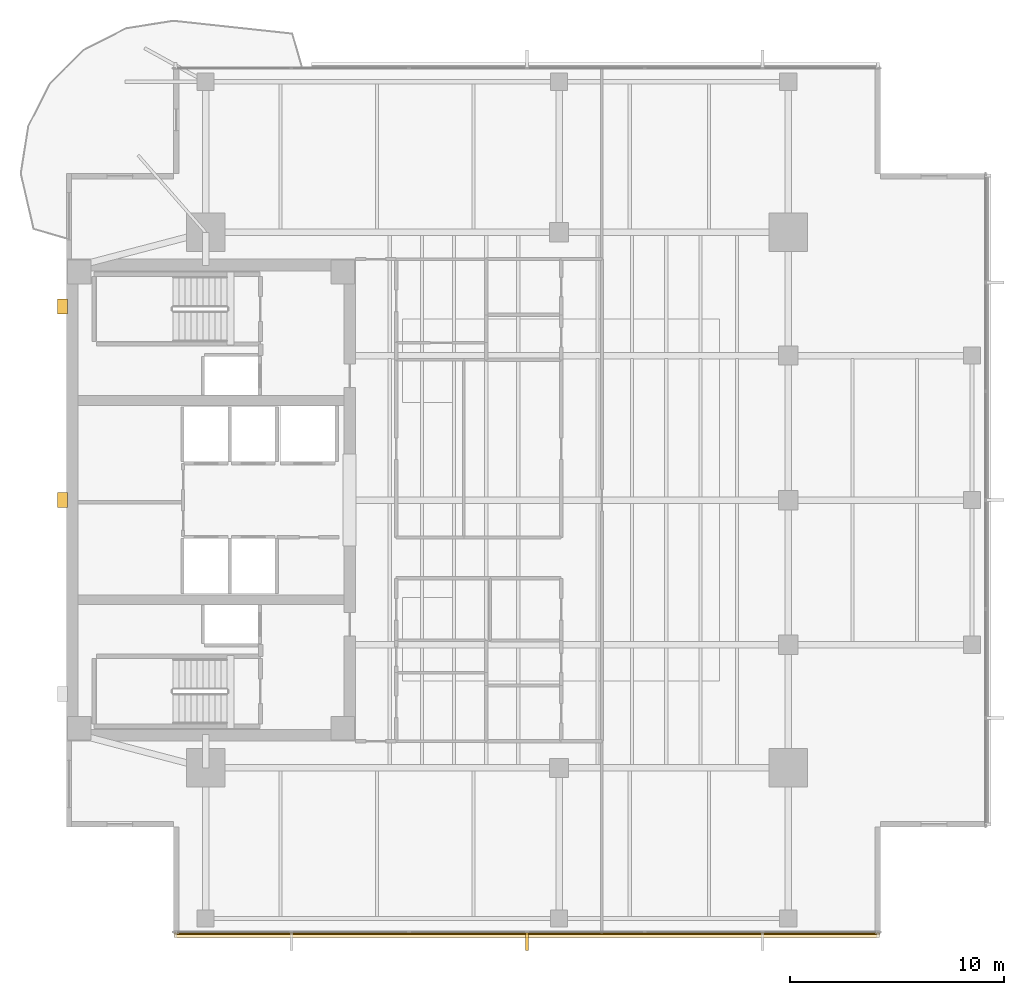
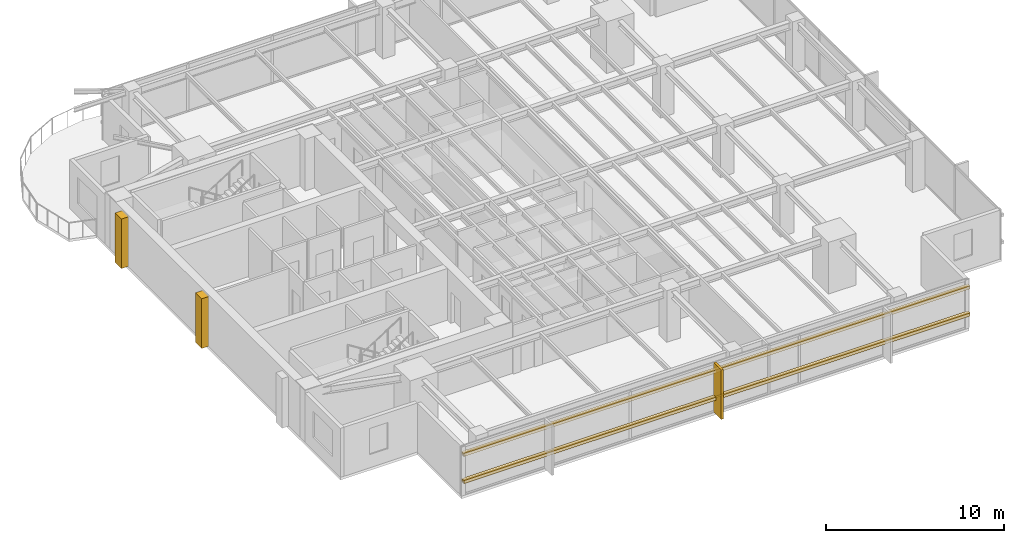
# One storey, part 12 of 14: 5 coverings, 2 shading devices.
"""IFC4 building model written with IfcOpenShell, lengths in metres."""

from ifc_helpers import new_model, si_unit, direction, frame, origin, origin_2d, place, context, subcontext, project, spatial, polyline, rectangle, outline, extrude, material, layer, layer_set, material_profile, profile_set, type_object, element, save


model = new_model("IFC4")

# Units and contexts
model_context = context("Model", 3, precision=1e-05, world=origin(), true_north=direction((0.0, 1.0)))
body_context = subcontext(model_context, "Body", "Model", "MODEL_VIEW")
ifc_project = project(units=[si_unit("LENGTHUNIT", "METRE"), si_unit("AREAUNIT", "SQUARE_METRE"), si_unit("VOLUMEUNIT", "CUBIC_METRE"), si_unit("PLANEANGLEUNIT", "RADIAN"), si_unit("MASSUNIT", "GRAM", prefix="KILO")], contexts=[model_context])

# Site, building, storey
site_placement = place(None, origin())
site = spatial("IfcSite", under=ifc_project, at=site_placement, CompositionType="ELEMENT")
building_placement = place(site_placement, origin())
building = spatial("IfcBuilding", under=site, at=building_placement, Name="Kinhvarn Gate Tower", CompositionType="ELEMENT")
storey_placement = place(building_placement, frame((0.0, 0.0, 195.14990234375)))
storey = spatial("IfcBuildingStorey", under=building, at=storey_placement, Name="L51", CompositionType="ELEMENT", Elevation=195.14990234375)

# Coverings
ifc_material_1 = material(Name="Fired architectural terracotta", Category="masonry")
ifc_layer_1 = layer(ifc_material_1, 0.239990234375)
ifc_layer_set_1 = layer_set([ifc_layer_1], Name="Fired architectural terracotta")
covering_type_1 = type_object("IfcCoveringType", Name="COV-BAG-220", PredefinedType="CLADDING", material=ifc_layer_set_1)
for number, where, name in (
    (1, (0.0, 0.0, 0.940185546875), "Terracotta Horizontal Sunscreen Band TBG-220 (L51)"),
    (2, (0.0, 0.0, 2.81005859375), "Terracotta Horizontal Sunscreen Band TBG-220 (L51)"),
):
    element("IfcCovering", number, at=place(storey_placement, frame(where)), inside=storey, type_object=covering_type_1, Name=name, PredefinedType="CLADDING", context=body_context, shape_type="SweptSolid", body=[
        extrude(outline(polyline([(9.5400390625, 5.070068359375), (42.4599609375, 5.070068359375), (42.4599609375, 4.830078125), (9.5400390625, 4.830078125), (9.5400390625, 5.070068359375)])), origin(), (0.0, 0.0, 1.0), 0.219970703125),
    ])
ifc_layer_2 = layer(ifc_material_1, 0.139892578125)
ifc_layer_set_2 = layer_set([ifc_layer_2], Name="Fired architectural terracotta")
covering_type_2 = type_object("IfcCoveringType", Name="COV-FIN-850", PredefinedType="CLADDING", material=ifc_layer_set_2)
covering_1_placement = place(storey_placement, frame((0.0, 0.0, -0.02001953125)))
element("IfcCovering", 3, at=covering_1_placement, inside=storey, type_object=covering_type_2, Name="Vertical Terracotta Expressive Fin TFN-850 (L51)", PredefinedType="CLADDING", context=body_context, shape_type="SweptSolid", body=[
    extrude(outline(polyline([(25.929931640625, 5.080078125), (26.070068359375, 5.080078125), (26.070068359375, 4.22998046875), (25.929931640625, 4.22998046875), (25.929931640625, 5.080078125)])), origin(), (0.0, 0.0, 1.0), 3.41015625),
])
ifc_material_2 = material(Name="Precast white architectural concrete C40/50", Category="concrete")
ifc_layer_3 = layer(ifc_material_2, 0.47998046875)
ifc_layer_set_3 = layer_set([ifc_layer_3], Name="Precast white architectural concrete C40/50")
covering_type_3 = type_object("IfcCoveringType", Name="COV-RIB-450", PredefinedType="CLADDING", material=ifc_layer_set_3)
covering_2_placement = place(storey_placement, frame((0.0, 0.0, -0.02001953125)))
element("IfcCovering", 4, at=covering_2_placement, inside=storey, type_object=covering_type_3, Name="West Core Sculptural Concrete Relief Rib CRB-450 (L51)", PredefinedType="CLADDING", context=body_context, shape_type="SweptSolid", body=[
    extrude(outline(polyline([(4.080078125, 24.89990234375), (4.56005859375, 24.89990234375), (4.56005859375, 25.60009765625), (4.080078125, 25.60009765625), (4.080078125, 24.89990234375)])), origin(), (0.0, 0.0, 1.0), 3.41015625),
])
covering_3_placement = place(storey_placement, frame((0.0, 0.0, -0.02001953125)))
element("IfcCovering", 5, at=covering_3_placement, inside=storey, type_object=covering_type_3, Name="West Core Sculptural Concrete Relief Rib CRB-450 (L51)", PredefinedType="CLADDING", context=body_context, shape_type="SweptSolid", body=[
    extrude(outline(polyline([(4.080078125, 33.949951171875), (4.56005859375, 33.949951171875), (4.56005859375, 34.64990234375), (4.080078125, 34.64990234375), (4.080078125, 33.949951171875)])), origin(), (0.0, 0.0, 1.0), 3.41015625),
])

# Shading devices
ifc_material_profile = material_profile(ifc_material_1, rectangle(XDim=0.050048828125, YDim=0.1201171875, at=origin_2d()), Name="TC 50x120")
ifc_profile_set = profile_set([ifc_material_profile], Name="Fired architectural terracotta")
shading_device_type = type_object("IfcShadingDeviceType", Name="SHD-BAG-140", PredefinedType="USERDEFINED", material=ifc_profile_set)
for number, where, z_axis, x_axis, name in (
    (6, (9.5400390625, 5.0, 1.050048828125), (1.0, 0.0, 0.0), (0.0, 1.0, 0.0), "Upper Tower Terracotta Baguette Screen Rod 50x120 mm (L51)"),
    (7, (9.5400390625, 5.0, 2.920166015625), (1.0, 0.0, 0.0), (0.0, 1.0, 0.0), "Upper Tower Terracotta Baguette Screen Rod 50x120 mm (L51)"),
):
    element("IfcShadingDevice", number, at=place(storey_placement, frame(where, z_axis=z_axis, x_axis=x_axis)), inside=storey, type_object=shading_device_type, Name=name, ObjectType="BAGUETTE", PredefinedType="USERDEFINED", context=body_context, shape_type="SweptSolid", body=[
        extrude(rectangle(XDim=0.050048828125, YDim=0.1201171875, at=origin_2d()), origin(), (0.0, 0.0, 1.0), 32.919921875),
    ])

save(model, "model.ifc")
